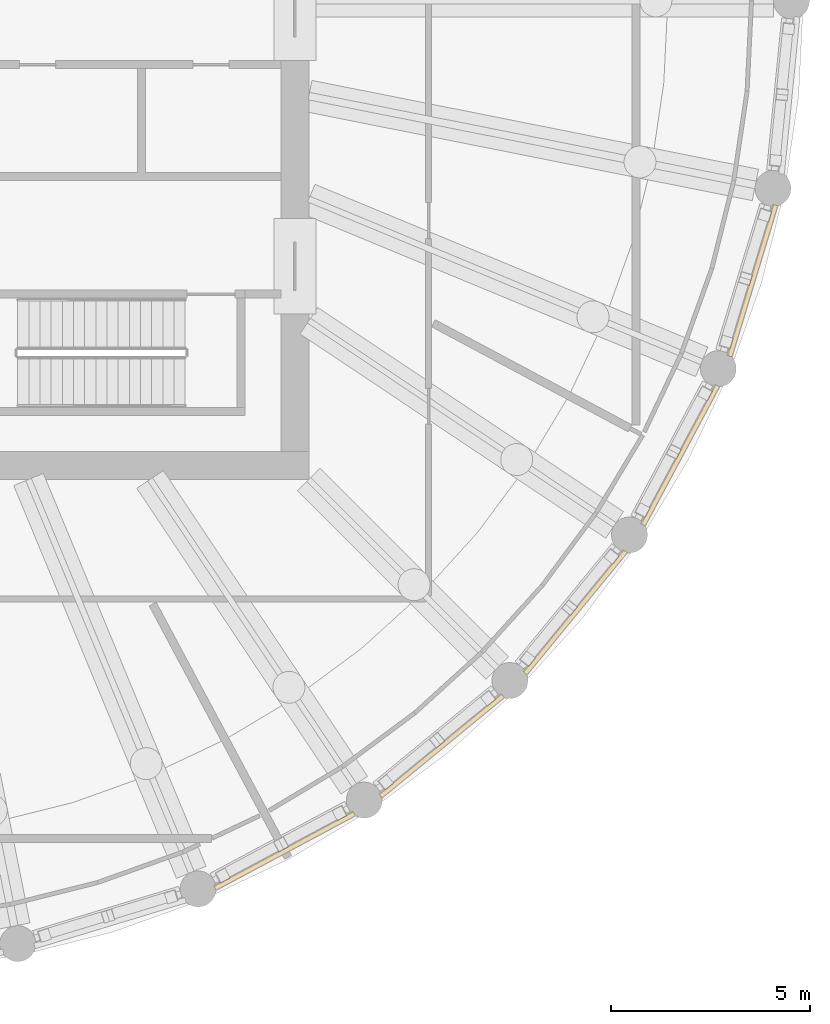
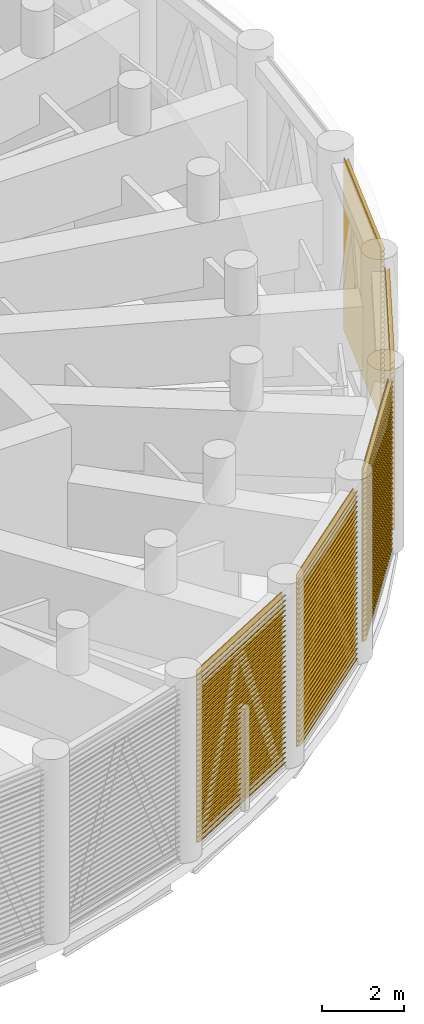
# One storey, part 15 of 19: 5 shading devices, 5 elements without a shape of their own.
"""IFC4 building model written with IfcOpenShell, lengths in metres."""

from ifc_helpers import new_model, si_unit, direction, frame, origin, place, context, subcontext, project, spatial, polyline, outline, extrude, material, material_profile, profile_set, type_object, element, aggregate, save


model = new_model("IFC4")

# Units and contexts
model_context = context("Model", 3, precision=1e-05, world=origin(), true_north=direction((0.0, 1.0)))
body_context = subcontext(model_context, "Body", "Model", "MODEL_VIEW")
ifc_project = project(units=[si_unit("LENGTHUNIT", "METRE"), si_unit("AREAUNIT", "SQUARE_METRE"), si_unit("VOLUMEUNIT", "CUBIC_METRE"), si_unit("PLANEANGLEUNIT", "RADIAN"), si_unit("MASSUNIT", "GRAM", prefix="KILO")], contexts=[model_context])

# Site, building, storey
site_placement = place(None, origin())
site = spatial("IfcSite", under=ifc_project, at=site_placement, CompositionType="ELEMENT")
building_placement = place(site_placement, origin())
building = spatial("IfcBuilding", under=site, at=building_placement, Name="Corvane Civic Tower", CompositionType="ELEMENT")
storey_placement = place(building_placement, frame((0.0, 0.0, 319.0)))
storey = spatial("IfcBuildingStorey", under=building, at=storey_placement, Name="L76", CompositionType="ELEMENT", Elevation=319.0)

# Curtain wall, shading device
ifc_material_1 = material(Name="Anodised aluminium bronze", Category="aluminium")
curtain_wall_type = type_object("IfcCurtainWallType", Name="TOWER CW-LV LOUVRE SCREEN WALL", PredefinedType="NOTDEFINED", material=ifc_material_1)
curtain_wall_1_placement = place(storey_placement, origin())
curtain_wall_1 = element("IfcCurtainWall", 1, at=curtain_wall_1_placement, inside=storey, type_object=curtain_wall_type, Name="Louvre screen wall CW-LV L76 bay 10", PredefinedType="NOTDEFINED")
ifc_material_2 = material(Name="Anodised aluminium bronze", Category="aluminium")
ifc_material_profile = material_profile(ifc_material_2, outline(polyline([(-0.06005859375, -2.56494140625), (-0.0400390625, -2.56494140625), (0.06005859375, -2.492919921875), (0.06005859375, -2.472900390625), (-0.0400390625, -2.544921875), (-0.0400390625, -2.4140625), (0.06005859375, -2.342041015625), (0.06005859375, -2.322021484375), (-0.0400390625, -2.39404296875), (-0.0400390625, -2.26318359375), (0.06005859375, -2.191162109375), (0.06005859375, -2.171142578125), (-0.0400390625, -2.2431640625), (-0.0400390625, -2.1123046875), (0.06005859375, -2.040283203125), (0.06005859375, -2.0205078125), (-0.0400390625, -2.09228515625), (-0.0400390625, -1.96142578125), (0.06005859375, -1.889404296875), (0.06005859375, -1.869384765625), (-0.0400390625, -1.94140625), (-0.0400390625, -1.810546875), (0.06005859375, -1.738525390625), (0.06005859375, -1.718505859375), (-0.0400390625, -1.79052734375), (-0.0400390625, -1.65966796875), (0.06005859375, -1.587646484375), (0.06005859375, -1.567626953125), (-0.0400390625, -1.6396484375), (-0.0400390625, -1.5087890625), (0.06005859375, -1.436767578125), (0.06005859375, -1.416748046875), (-0.0400390625, -1.48876953125), (-0.0400390625, -1.35791015625), (0.06005859375, -1.285888671875), (0.06005859375, -1.265869140625), (-0.0400390625, -1.337890625), (-0.0400390625, -1.20703125), (0.06005859375, -1.135009765625), (0.06005859375, -1.114990234375), (-0.0400390625, -1.18701171875), (-0.0400390625, -1.05615234375), (0.06005859375, -0.984130859375), (0.06005859375, -0.964111328125), (-0.0400390625, -1.0361328125), (-0.0400390625, -0.9052734375), (0.06005859375, -0.833251953125), (0.06005859375, -0.813232421875), (-0.0400390625, -0.88525390625), (-0.0400390625, -0.75439453125), (0.06005859375, -0.682373046875), (0.06005859375, -0.662353515625), (-0.0400390625, -0.734375), (-0.0400390625, -0.603515625), (0.06005859375, -0.531494140625), (0.06005859375, -0.511474609375), (-0.0400390625, -0.58349609375), (-0.0400390625, -0.45263671875), (0.06005859375, -0.380615234375), (0.06005859375, -0.360595703125), (-0.0400390625, -0.4326171875), (-0.0400390625, -0.3017578125), (0.06005859375, -0.229736328125), (0.06005859375, -0.209716796875), (-0.0400390625, -0.28173828125), (-0.0400390625, -0.15087890625), (0.06005859375, -0.078857421875), (0.06005859375, -0.058837890625), (-0.0400390625, -0.130859375), (-0.0400390625, 0.0), (0.06005859375, 0.072021484375), (0.06005859375, 0.092041015625), (-0.0400390625, 0.02001953125), (-0.0400390625, 0.15087890625), (0.06005859375, 0.222900390625), (0.06005859375, 0.242919921875), (-0.0400390625, 0.1708984375), (-0.0400390625, 0.3017578125), (0.06005859375, 0.373779296875), (0.06005859375, 0.393798828125), (-0.0400390625, 0.32177734375), (-0.0400390625, 0.45263671875), (0.06005859375, 0.524658203125), (0.06005859375, 0.544677734375), (-0.0400390625, 0.47265625), (-0.0400390625, 0.603515625), (0.06005859375, 0.675537109375), (0.06005859375, 0.695556640625), (-0.0400390625, 0.62353515625), (-0.0400390625, 0.75439453125), (0.06005859375, 0.826416015625), (0.06005859375, 0.846435546875), (-0.0400390625, 0.7744140625), (-0.0400390625, 0.9052734375), (0.06005859375, 0.977294921875), (0.06005859375, 0.997314453125), (-0.0400390625, 0.92529296875), (-0.0400390625, 1.05615234375), (0.06005859375, 1.128173828125), (0.06005859375, 1.148193359375), (-0.0400390625, 1.076171875), (-0.0400390625, 1.20703125), (0.06005859375, 1.279052734375), (0.06005859375, 1.299072265625), (-0.0400390625, 1.22705078125), (-0.0400390625, 1.35791015625), (0.06005859375, 1.429931640625), (0.06005859375, 1.449951171875), (-0.0400390625, 1.3779296875), (-0.0400390625, 1.5087890625), (0.06005859375, 1.580810546875), (0.06005859375, 1.600830078125), (-0.0400390625, 1.52880859375), (-0.0400390625, 1.65966796875), (0.06005859375, 1.731689453125), (0.06005859375, 1.751708984375), (-0.0400390625, 1.6796875), (-0.0400390625, 1.810546875), (0.06005859375, 1.882568359375), (0.06005859375, 1.902587890625), (-0.0400390625, 1.83056640625), (-0.0400390625, 1.96142578125), (0.06005859375, 2.033447265625), (0.06005859375, 2.053466796875), (-0.0400390625, 1.9814453125), (-0.0400390625, 2.1123046875), (0.06005859375, 2.184326171875), (0.06005859375, 2.204345703125), (-0.0400390625, 2.13232421875), (-0.0400390625, 2.26318359375), (0.06005859375, 2.335205078125), (0.06005859375, 2.355224609375), (-0.0400390625, 2.283203125), (-0.0400390625, 2.4140625), (0.06005859375, 2.486083984375), (0.06005859375, 2.506103515625), (-0.0400390625, 2.43408203125), (-0.0400390625, 2.56494140625), (-0.06005859375, 2.56494140625), (-0.06005859375, -2.56494140625)])), Name="TOWER LOUVRE BANK 5130 BRONZE")
ifc_profile_set = profile_set([ifc_material_profile], Name="Anodised aluminium bronze")
shading_device_type = type_object("IfcShadingDeviceType", Name="TOWER LOUVRE BANK 5130 BRONZE", PredefinedType="USERDEFINED", material=ifc_profile_set)
shading_device_1_placement = place(storey_placement, frame((23.697265625, -5.119873046875, 2.68505859375), z_axis=(-0.290265825309, -0.956946054205, 0.0), x_axis=(0.956946054205, -0.290265825309, 0.0)))
shading_device_1 = element("IfcShadingDevice", 2, at=shading_device_1_placement, type_object=shading_device_type, Name="Louvre bank L76 10.1", ObjectType="LOUVRE", PredefinedType="USERDEFINED", context=body_context, shape_type="SweptSolid", body=[
    extrude(outline(polyline([(-0.06005859375, -2.56494140625), (-0.0400390625, -2.56494140625), (0.06005859375, -2.492919921875), (0.06005859375, -2.472900390625), (-0.0400390625, -2.544921875), (-0.0400390625, -2.4140625), (0.06005859375, -2.342041015625), (0.06005859375, -2.322021484375), (-0.0400390625, -2.39404296875), (-0.0400390625, -2.26318359375), (0.06005859375, -2.191162109375), (0.06005859375, -2.171142578125), (-0.0400390625, -2.2431640625), (-0.0400390625, -2.1123046875), (0.06005859375, -2.040283203125), (0.06005859375, -2.0205078125), (-0.0400390625, -2.09228515625), (-0.0400390625, -1.96142578125), (0.06005859375, -1.889404296875), (0.06005859375, -1.869384765625), (-0.0400390625, -1.94140625), (-0.0400390625, -1.810546875), (0.06005859375, -1.738525390625), (0.06005859375, -1.718505859375), (-0.0400390625, -1.79052734375), (-0.0400390625, -1.65966796875), (0.06005859375, -1.587646484375), (0.06005859375, -1.567626953125), (-0.0400390625, -1.6396484375), (-0.0400390625, -1.5087890625), (0.06005859375, -1.436767578125), (0.06005859375, -1.416748046875), (-0.0400390625, -1.48876953125), (-0.0400390625, -1.35791015625), (0.06005859375, -1.285888671875), (0.06005859375, -1.265869140625), (-0.0400390625, -1.337890625), (-0.0400390625, -1.20703125), (0.06005859375, -1.135009765625), (0.06005859375, -1.114990234375), (-0.0400390625, -1.18701171875), (-0.0400390625, -1.05615234375), (0.06005859375, -0.984130859375), (0.06005859375, -0.964111328125), (-0.0400390625, -1.0361328125), (-0.0400390625, -0.9052734375), (0.06005859375, -0.833251953125), (0.06005859375, -0.813232421875), (-0.0400390625, -0.88525390625), (-0.0400390625, -0.75439453125), (0.06005859375, -0.682373046875), (0.06005859375, -0.662353515625), (-0.0400390625, -0.734375), (-0.0400390625, -0.603515625), (0.06005859375, -0.531494140625), (0.06005859375, -0.511474609375), (-0.0400390625, -0.58349609375), (-0.0400390625, -0.45263671875), (0.06005859375, -0.380615234375), (0.06005859375, -0.360595703125), (-0.0400390625, -0.4326171875), (-0.0400390625, -0.3017578125), (0.06005859375, -0.229736328125), (0.06005859375, -0.209716796875), (-0.0400390625, -0.28173828125), (-0.0400390625, -0.15087890625), (0.06005859375, -0.078857421875), (0.06005859375, -0.058837890625), (-0.0400390625, -0.130859375), (-0.0400390625, 0.0), (0.06005859375, 0.072021484375), (0.06005859375, 0.092041015625), (-0.0400390625, 0.02001953125), (-0.0400390625, 0.15087890625), (0.06005859375, 0.222900390625), (0.06005859375, 0.242919921875), (-0.0400390625, 0.1708984375), (-0.0400390625, 0.3017578125), (0.06005859375, 0.373779296875), (0.06005859375, 0.393798828125), (-0.0400390625, 0.32177734375), (-0.0400390625, 0.45263671875), (0.06005859375, 0.524658203125), (0.06005859375, 0.544677734375), (-0.0400390625, 0.47265625), (-0.0400390625, 0.603515625), (0.06005859375, 0.675537109375), (0.06005859375, 0.695556640625), (-0.0400390625, 0.62353515625), (-0.0400390625, 0.75439453125), (0.06005859375, 0.826416015625), (0.06005859375, 0.846435546875), (-0.0400390625, 0.7744140625), (-0.0400390625, 0.9052734375), (0.06005859375, 0.977294921875), (0.06005859375, 0.997314453125), (-0.0400390625, 0.92529296875), (-0.0400390625, 1.05615234375), (0.06005859375, 1.128173828125), (0.06005859375, 1.148193359375), (-0.0400390625, 1.076171875), (-0.0400390625, 1.20703125), (0.06005859375, 1.279052734375), (0.06005859375, 1.299072265625), (-0.0400390625, 1.22705078125), (-0.0400390625, 1.35791015625), (0.06005859375, 1.429931640625), (0.06005859375, 1.449951171875), (-0.0400390625, 1.3779296875), (-0.0400390625, 1.5087890625), (0.06005859375, 1.580810546875), (0.06005859375, 1.600830078125), (-0.0400390625, 1.52880859375), (-0.0400390625, 1.65966796875), (0.06005859375, 1.731689453125), (0.06005859375, 1.751708984375), (-0.0400390625, 1.6796875), (-0.0400390625, 1.810546875), (0.06005859375, 1.882568359375), (0.06005859375, 1.902587890625), (-0.0400390625, 1.83056640625), (-0.0400390625, 1.96142578125), (0.06005859375, 2.033447265625), (0.06005859375, 2.053466796875), (-0.0400390625, 1.9814453125), (-0.0400390625, 2.1123046875), (0.06005859375, 2.184326171875), (0.06005859375, 2.204345703125), (-0.0400390625, 2.13232421875), (-0.0400390625, 2.26318359375), (0.06005859375, 2.335205078125), (0.06005859375, 2.355224609375), (-0.0400390625, 2.283203125), (-0.0400390625, 2.4140625), (0.06005859375, 2.486083984375), (0.06005859375, 2.506103515625), (-0.0400390625, 2.43408203125), (-0.0400390625, 2.56494140625), (-0.06005859375, 2.56494140625), (-0.06005859375, -2.56494140625)])), origin(), (0.0, 0.0, 1.0), 3.958984375),
])
aggregate(curtain_wall_1, [shading_device_1])

curtain_wall_2_placement = place(storey_placement, origin())
curtain_wall_2 = element("IfcCurtainWall", 3, at=curtain_wall_2_placement, inside=storey, type_object=curtain_wall_type, Name="Louvre screen wall CW-LV L76 bay 11", PredefinedType="NOTDEFINED")
shading_device_2_placement = place(storey_placement, frame((22.2431640625, -9.644775390625, 2.68505859375), z_axis=(-0.471468241052, -0.881883040816, 0.0), x_axis=(0.881883040816, -0.471468241052, 0.0)))
shading_device_2 = element("IfcShadingDevice", 4, at=shading_device_2_placement, type_object=shading_device_type, Name="Louvre bank L76 11.1", ObjectType="LOUVRE", PredefinedType="USERDEFINED", context=body_context, shape_type="SweptSolid", body=[
    extrude(outline(polyline([(-0.06005859375, -2.56494140625), (-0.0400390625, -2.56494140625), (0.06005859375, -2.492919921875), (0.06005859375, -2.472900390625), (-0.0400390625, -2.544921875), (-0.0400390625, -2.4140625), (0.06005859375, -2.342041015625), (0.06005859375, -2.322021484375), (-0.0400390625, -2.39404296875), (-0.0400390625, -2.26318359375), (0.06005859375, -2.191162109375), (0.06005859375, -2.171142578125), (-0.0400390625, -2.2431640625), (-0.0400390625, -2.1123046875), (0.06005859375, -2.040283203125), (0.06005859375, -2.0205078125), (-0.0400390625, -2.09228515625), (-0.0400390625, -1.96142578125), (0.06005859375, -1.889404296875), (0.06005859375, -1.869384765625), (-0.0400390625, -1.94140625), (-0.0400390625, -1.810546875), (0.06005859375, -1.738525390625), (0.06005859375, -1.718505859375), (-0.0400390625, -1.79052734375), (-0.0400390625, -1.65966796875), (0.06005859375, -1.587646484375), (0.06005859375, -1.567626953125), (-0.0400390625, -1.6396484375), (-0.0400390625, -1.5087890625), (0.06005859375, -1.436767578125), (0.06005859375, -1.416748046875), (-0.0400390625, -1.48876953125), (-0.0400390625, -1.35791015625), (0.06005859375, -1.285888671875), (0.06005859375, -1.265869140625), (-0.0400390625, -1.337890625), (-0.0400390625, -1.20703125), (0.06005859375, -1.135009765625), (0.06005859375, -1.114990234375), (-0.0400390625, -1.18701171875), (-0.0400390625, -1.05615234375), (0.06005859375, -0.984130859375), (0.06005859375, -0.964111328125), (-0.0400390625, -1.0361328125), (-0.0400390625, -0.9052734375), (0.06005859375, -0.833251953125), (0.06005859375, -0.813232421875), (-0.0400390625, -0.88525390625), (-0.0400390625, -0.75439453125), (0.06005859375, -0.682373046875), (0.06005859375, -0.662353515625), (-0.0400390625, -0.734375), (-0.0400390625, -0.603515625), (0.06005859375, -0.531494140625), (0.06005859375, -0.511474609375), (-0.0400390625, -0.58349609375), (-0.0400390625, -0.45263671875), (0.06005859375, -0.380615234375), (0.06005859375, -0.360595703125), (-0.0400390625, -0.4326171875), (-0.0400390625, -0.3017578125), (0.06005859375, -0.229736328125), (0.06005859375, -0.209716796875), (-0.0400390625, -0.28173828125), (-0.0400390625, -0.15087890625), (0.06005859375, -0.078857421875), (0.06005859375, -0.058837890625), (-0.0400390625, -0.130859375), (-0.0400390625, 0.0), (0.06005859375, 0.072021484375), (0.06005859375, 0.092041015625), (-0.0400390625, 0.02001953125), (-0.0400390625, 0.15087890625), (0.06005859375, 0.222900390625), (0.06005859375, 0.242919921875), (-0.0400390625, 0.1708984375), (-0.0400390625, 0.3017578125), (0.06005859375, 0.373779296875), (0.06005859375, 0.393798828125), (-0.0400390625, 0.32177734375), (-0.0400390625, 0.45263671875), (0.06005859375, 0.524658203125), (0.06005859375, 0.544677734375), (-0.0400390625, 0.47265625), (-0.0400390625, 0.603515625), (0.06005859375, 0.675537109375), (0.06005859375, 0.695556640625), (-0.0400390625, 0.62353515625), (-0.0400390625, 0.75439453125), (0.06005859375, 0.826416015625), (0.06005859375, 0.846435546875), (-0.0400390625, 0.7744140625), (-0.0400390625, 0.9052734375), (0.06005859375, 0.977294921875), (0.06005859375, 0.997314453125), (-0.0400390625, 0.92529296875), (-0.0400390625, 1.05615234375), (0.06005859375, 1.128173828125), (0.06005859375, 1.148193359375), (-0.0400390625, 1.076171875), (-0.0400390625, 1.20703125), (0.06005859375, 1.279052734375), (0.06005859375, 1.299072265625), (-0.0400390625, 1.22705078125), (-0.0400390625, 1.35791015625), (0.06005859375, 1.429931640625), (0.06005859375, 1.449951171875), (-0.0400390625, 1.3779296875), (-0.0400390625, 1.5087890625), (0.06005859375, 1.580810546875), (0.06005859375, 1.600830078125), (-0.0400390625, 1.52880859375), (-0.0400390625, 1.65966796875), (0.06005859375, 1.731689453125), (0.06005859375, 1.751708984375), (-0.0400390625, 1.6796875), (-0.0400390625, 1.810546875), (0.06005859375, 1.882568359375), (0.06005859375, 1.902587890625), (-0.0400390625, 1.83056640625), (-0.0400390625, 1.96142578125), (0.06005859375, 2.033447265625), (0.06005859375, 2.053466796875), (-0.0400390625, 1.9814453125), (-0.0400390625, 2.1123046875), (0.06005859375, 2.184326171875), (0.06005859375, 2.204345703125), (-0.0400390625, 2.13232421875), (-0.0400390625, 2.26318359375), (0.06005859375, 2.335205078125), (0.06005859375, 2.355224609375), (-0.0400390625, 2.283203125), (-0.0400390625, 2.4140625), (0.06005859375, 2.486083984375), (0.06005859375, 2.506103515625), (-0.0400390625, 2.43408203125), (-0.0400390625, 2.56494140625), (-0.06005859375, 2.56494140625), (-0.06005859375, -2.56494140625)])), origin(), (0.0, 0.0, 1.0), 3.958740234375),
])
aggregate(curtain_wall_2, [shading_device_2])

curtain_wall_3_placement = place(storey_placement, origin())
curtain_wall_3 = element("IfcCurtainWall", 5, at=curtain_wall_3_placement, inside=storey, type_object=curtain_wall_type, Name="Louvre screen wall CW-LV L76 bay 12", PredefinedType="NOTDEFINED")
shading_device_3_placement = place(storey_placement, frame((19.93408203125, -13.798828125, 2.68505859375), z_axis=(-0.634415838373, -0.772991943051, 0.0), x_axis=(0.772991943051, -0.634415838373, 0.0)))
shading_device_3 = element("IfcShadingDevice", 6, at=shading_device_3_placement, type_object=shading_device_type, Name="Louvre bank L76 12.1", ObjectType="LOUVRE", PredefinedType="USERDEFINED", context=body_context, shape_type="SweptSolid", body=[
    extrude(outline(polyline([(-0.06005859375, -2.56494140625), (-0.0400390625, -2.56494140625), (0.06005859375, -2.492919921875), (0.06005859375, -2.472900390625), (-0.0400390625, -2.544921875), (-0.0400390625, -2.4140625), (0.06005859375, -2.342041015625), (0.06005859375, -2.322021484375), (-0.0400390625, -2.39404296875), (-0.0400390625, -2.26318359375), (0.06005859375, -2.191162109375), (0.06005859375, -2.171142578125), (-0.0400390625, -2.2431640625), (-0.0400390625, -2.1123046875), (0.06005859375, -2.040283203125), (0.06005859375, -2.0205078125), (-0.0400390625, -2.09228515625), (-0.0400390625, -1.96142578125), (0.06005859375, -1.889404296875), (0.06005859375, -1.869384765625), (-0.0400390625, -1.94140625), (-0.0400390625, -1.810546875), (0.06005859375, -1.738525390625), (0.06005859375, -1.718505859375), (-0.0400390625, -1.79052734375), (-0.0400390625, -1.65966796875), (0.06005859375, -1.587646484375), (0.06005859375, -1.567626953125), (-0.0400390625, -1.6396484375), (-0.0400390625, -1.5087890625), (0.06005859375, -1.436767578125), (0.06005859375, -1.416748046875), (-0.0400390625, -1.48876953125), (-0.0400390625, -1.35791015625), (0.06005859375, -1.285888671875), (0.06005859375, -1.265869140625), (-0.0400390625, -1.337890625), (-0.0400390625, -1.20703125), (0.06005859375, -1.135009765625), (0.06005859375, -1.114990234375), (-0.0400390625, -1.18701171875), (-0.0400390625, -1.05615234375), (0.06005859375, -0.984130859375), (0.06005859375, -0.964111328125), (-0.0400390625, -1.0361328125), (-0.0400390625, -0.9052734375), (0.06005859375, -0.833251953125), (0.06005859375, -0.813232421875), (-0.0400390625, -0.88525390625), (-0.0400390625, -0.75439453125), (0.06005859375, -0.682373046875), (0.06005859375, -0.662353515625), (-0.0400390625, -0.734375), (-0.0400390625, -0.603515625), (0.06005859375, -0.531494140625), (0.06005859375, -0.511474609375), (-0.0400390625, -0.58349609375), (-0.0400390625, -0.45263671875), (0.06005859375, -0.380615234375), (0.06005859375, -0.360595703125), (-0.0400390625, -0.4326171875), (-0.0400390625, -0.3017578125), (0.06005859375, -0.229736328125), (0.06005859375, -0.209716796875), (-0.0400390625, -0.28173828125), (-0.0400390625, -0.15087890625), (0.06005859375, -0.078857421875), (0.06005859375, -0.058837890625), (-0.0400390625, -0.130859375), (-0.0400390625, 0.0), (0.06005859375, 0.072021484375), (0.06005859375, 0.092041015625), (-0.0400390625, 0.02001953125), (-0.0400390625, 0.15087890625), (0.06005859375, 0.222900390625), (0.06005859375, 0.242919921875), (-0.0400390625, 0.1708984375), (-0.0400390625, 0.3017578125), (0.06005859375, 0.373779296875), (0.06005859375, 0.393798828125), (-0.0400390625, 0.32177734375), (-0.0400390625, 0.45263671875), (0.06005859375, 0.524658203125), (0.06005859375, 0.544677734375), (-0.0400390625, 0.47265625), (-0.0400390625, 0.603515625), (0.06005859375, 0.675537109375), (0.06005859375, 0.695556640625), (-0.0400390625, 0.62353515625), (-0.0400390625, 0.75439453125), (0.06005859375, 0.826416015625), (0.06005859375, 0.846435546875), (-0.0400390625, 0.7744140625), (-0.0400390625, 0.9052734375), (0.06005859375, 0.977294921875), (0.06005859375, 0.997314453125), (-0.0400390625, 0.92529296875), (-0.0400390625, 1.05615234375), (0.06005859375, 1.128173828125), (0.06005859375, 1.148193359375), (-0.0400390625, 1.076171875), (-0.0400390625, 1.20703125), (0.06005859375, 1.279052734375), (0.06005859375, 1.299072265625), (-0.0400390625, 1.22705078125), (-0.0400390625, 1.35791015625), (0.06005859375, 1.429931640625), (0.06005859375, 1.449951171875), (-0.0400390625, 1.3779296875), (-0.0400390625, 1.5087890625), (0.06005859375, 1.580810546875), (0.06005859375, 1.600830078125), (-0.0400390625, 1.52880859375), (-0.0400390625, 1.65966796875), (0.06005859375, 1.731689453125), (0.06005859375, 1.751708984375), (-0.0400390625, 1.6796875), (-0.0400390625, 1.810546875), (0.06005859375, 1.882568359375), (0.06005859375, 1.902587890625), (-0.0400390625, 1.83056640625), (-0.0400390625, 1.96142578125), (0.06005859375, 2.033447265625), (0.06005859375, 2.053466796875), (-0.0400390625, 1.9814453125), (-0.0400390625, 2.1123046875), (0.06005859375, 2.184326171875), (0.06005859375, 2.204345703125), (-0.0400390625, 2.13232421875), (-0.0400390625, 2.26318359375), (0.06005859375, 2.335205078125), (0.06005859375, 2.355224609375), (-0.0400390625, 2.283203125), (-0.0400390625, 2.4140625), (0.06005859375, 2.486083984375), (0.06005859375, 2.506103515625), (-0.0400390625, 2.43408203125), (-0.0400390625, 2.56494140625), (-0.06005859375, 2.56494140625), (-0.06005859375, -2.56494140625)])), origin(), (0.0, 0.0, 1.0), 3.958740234375),
])
aggregate(curtain_wall_3, [shading_device_3])

curtain_wall_4_placement = place(storey_placement, origin())
curtain_wall_4 = element("IfcCurtainWall", 7, at=curtain_wall_4_placement, inside=storey, type_object=curtain_wall_type, Name="Louvre screen wall CW-LV L76 bay 13", PredefinedType="NOTDEFINED")
shading_device_4_placement = place(storey_placement, frame((16.85888671875, -17.422607421875, 2.68505859375), z_axis=(-0.772991943051, -0.634415838373, 0.0), x_axis=(0.634415838373, -0.772991943051, 0.0)))
shading_device_4 = element("IfcShadingDevice", 8, at=shading_device_4_placement, type_object=shading_device_type, Name="Louvre bank L76 13.1", ObjectType="LOUVRE", PredefinedType="USERDEFINED", context=body_context, shape_type="SweptSolid", body=[
    extrude(outline(polyline([(-0.06005859375, -2.56494140625), (-0.0400390625, -2.56494140625), (0.06005859375, -2.492919921875), (0.06005859375, -2.472900390625), (-0.0400390625, -2.544921875), (-0.0400390625, -2.4140625), (0.06005859375, -2.342041015625), (0.06005859375, -2.322021484375), (-0.0400390625, -2.39404296875), (-0.0400390625, -2.26318359375), (0.06005859375, -2.191162109375), (0.06005859375, -2.171142578125), (-0.0400390625, -2.2431640625), (-0.0400390625, -2.1123046875), (0.06005859375, -2.040283203125), (0.06005859375, -2.0205078125), (-0.0400390625, -2.09228515625), (-0.0400390625, -1.96142578125), (0.06005859375, -1.889404296875), (0.06005859375, -1.869384765625), (-0.0400390625, -1.94140625), (-0.0400390625, -1.810546875), (0.06005859375, -1.738525390625), (0.06005859375, -1.718505859375), (-0.0400390625, -1.79052734375), (-0.0400390625, -1.65966796875), (0.06005859375, -1.587646484375), (0.06005859375, -1.567626953125), (-0.0400390625, -1.6396484375), (-0.0400390625, -1.5087890625), (0.06005859375, -1.436767578125), (0.06005859375, -1.416748046875), (-0.0400390625, -1.48876953125), (-0.0400390625, -1.35791015625), (0.06005859375, -1.285888671875), (0.06005859375, -1.265869140625), (-0.0400390625, -1.337890625), (-0.0400390625, -1.20703125), (0.06005859375, -1.135009765625), (0.06005859375, -1.114990234375), (-0.0400390625, -1.18701171875), (-0.0400390625, -1.05615234375), (0.06005859375, -0.984130859375), (0.06005859375, -0.964111328125), (-0.0400390625, -1.0361328125), (-0.0400390625, -0.9052734375), (0.06005859375, -0.833251953125), (0.06005859375, -0.813232421875), (-0.0400390625, -0.88525390625), (-0.0400390625, -0.75439453125), (0.06005859375, -0.682373046875), (0.06005859375, -0.662353515625), (-0.0400390625, -0.734375), (-0.0400390625, -0.603515625), (0.06005859375, -0.531494140625), (0.06005859375, -0.511474609375), (-0.0400390625, -0.58349609375), (-0.0400390625, -0.45263671875), (0.06005859375, -0.380615234375), (0.06005859375, -0.360595703125), (-0.0400390625, -0.4326171875), (-0.0400390625, -0.3017578125), (0.06005859375, -0.229736328125), (0.06005859375, -0.209716796875), (-0.0400390625, -0.28173828125), (-0.0400390625, -0.15087890625), (0.06005859375, -0.078857421875), (0.06005859375, -0.058837890625), (-0.0400390625, -0.130859375), (-0.0400390625, 0.0), (0.06005859375, 0.072021484375), (0.06005859375, 0.092041015625), (-0.0400390625, 0.02001953125), (-0.0400390625, 0.15087890625), (0.06005859375, 0.222900390625), (0.06005859375, 0.242919921875), (-0.0400390625, 0.1708984375), (-0.0400390625, 0.3017578125), (0.06005859375, 0.373779296875), (0.06005859375, 0.393798828125), (-0.0400390625, 0.32177734375), (-0.0400390625, 0.45263671875), (0.06005859375, 0.524658203125), (0.06005859375, 0.544677734375), (-0.0400390625, 0.47265625), (-0.0400390625, 0.603515625), (0.06005859375, 0.675537109375), (0.06005859375, 0.695556640625), (-0.0400390625, 0.62353515625), (-0.0400390625, 0.75439453125), (0.06005859375, 0.826416015625), (0.06005859375, 0.846435546875), (-0.0400390625, 0.7744140625), (-0.0400390625, 0.9052734375), (0.06005859375, 0.977294921875), (0.06005859375, 0.997314453125), (-0.0400390625, 0.92529296875), (-0.0400390625, 1.05615234375), (0.06005859375, 1.128173828125), (0.06005859375, 1.148193359375), (-0.0400390625, 1.076171875), (-0.0400390625, 1.20703125), (0.06005859375, 1.279052734375), (0.06005859375, 1.299072265625), (-0.0400390625, 1.22705078125), (-0.0400390625, 1.35791015625), (0.06005859375, 1.429931640625), (0.06005859375, 1.449951171875), (-0.0400390625, 1.3779296875), (-0.0400390625, 1.5087890625), (0.06005859375, 1.580810546875), (0.06005859375, 1.600830078125), (-0.0400390625, 1.52880859375), (-0.0400390625, 1.65966796875), (0.06005859375, 1.731689453125), (0.06005859375, 1.751708984375), (-0.0400390625, 1.6796875), (-0.0400390625, 1.810546875), (0.06005859375, 1.882568359375), (0.06005859375, 1.902587890625), (-0.0400390625, 1.83056640625), (-0.0400390625, 1.96142578125), (0.06005859375, 2.033447265625), (0.06005859375, 2.053466796875), (-0.0400390625, 1.9814453125), (-0.0400390625, 2.1123046875), (0.06005859375, 2.184326171875), (0.06005859375, 2.204345703125), (-0.0400390625, 2.13232421875), (-0.0400390625, 2.26318359375), (0.06005859375, 2.335205078125), (0.06005859375, 2.355224609375), (-0.0400390625, 2.283203125), (-0.0400390625, 2.4140625), (0.06005859375, 2.486083984375), (0.06005859375, 2.506103515625), (-0.0400390625, 2.43408203125), (-0.0400390625, 2.56494140625), (-0.06005859375, 2.56494140625), (-0.06005859375, -2.56494140625)])), origin(), (0.0, 0.0, 1.0), 3.958740234375),
])
aggregate(curtain_wall_4, [shading_device_4])

curtain_wall_5_placement = place(storey_placement, origin())
curtain_wall_5 = element("IfcCurtainWall", 9, at=curtain_wall_5_placement, inside=storey, type_object=curtain_wall_type, Name="Louvre screen wall CW-LV L76 bay 14", PredefinedType="NOTDEFINED")
shading_device_5_placement = place(storey_placement, frame((13.135986328125, -20.376708984375, 2.68505859375), z_axis=(-0.881883040816, -0.471468241052, 0.0), x_axis=(0.471468241052, -0.881883040816, 0.0)))
shading_device_5 = element("IfcShadingDevice", 10, at=shading_device_5_placement, type_object=shading_device_type, Name="Louvre bank L76 14.1", ObjectType="LOUVRE", PredefinedType="USERDEFINED", context=body_context, shape_type="SweptSolid", body=[
    extrude(outline(polyline([(-0.06005859375, -2.56494140625), (-0.0400390625, -2.56494140625), (0.06005859375, -2.492919921875), (0.06005859375, -2.472900390625), (-0.0400390625, -2.544921875), (-0.0400390625, -2.4140625), (0.06005859375, -2.342041015625), (0.06005859375, -2.322021484375), (-0.0400390625, -2.39404296875), (-0.0400390625, -2.26318359375), (0.06005859375, -2.191162109375), (0.06005859375, -2.171142578125), (-0.0400390625, -2.2431640625), (-0.0400390625, -2.1123046875), (0.06005859375, -2.040283203125), (0.06005859375, -2.0205078125), (-0.0400390625, -2.09228515625), (-0.0400390625, -1.96142578125), (0.06005859375, -1.889404296875), (0.06005859375, -1.869384765625), (-0.0400390625, -1.94140625), (-0.0400390625, -1.810546875), (0.06005859375, -1.738525390625), (0.06005859375, -1.718505859375), (-0.0400390625, -1.79052734375), (-0.0400390625, -1.65966796875), (0.06005859375, -1.587646484375), (0.06005859375, -1.567626953125), (-0.0400390625, -1.6396484375), (-0.0400390625, -1.5087890625), (0.06005859375, -1.436767578125), (0.06005859375, -1.416748046875), (-0.0400390625, -1.48876953125), (-0.0400390625, -1.35791015625), (0.06005859375, -1.285888671875), (0.06005859375, -1.265869140625), (-0.0400390625, -1.337890625), (-0.0400390625, -1.20703125), (0.06005859375, -1.135009765625), (0.06005859375, -1.114990234375), (-0.0400390625, -1.18701171875), (-0.0400390625, -1.05615234375), (0.06005859375, -0.984130859375), (0.06005859375, -0.964111328125), (-0.0400390625, -1.0361328125), (-0.0400390625, -0.9052734375), (0.06005859375, -0.833251953125), (0.06005859375, -0.813232421875), (-0.0400390625, -0.88525390625), (-0.0400390625, -0.75439453125), (0.06005859375, -0.682373046875), (0.06005859375, -0.662353515625), (-0.0400390625, -0.734375), (-0.0400390625, -0.603515625), (0.06005859375, -0.531494140625), (0.06005859375, -0.511474609375), (-0.0400390625, -0.58349609375), (-0.0400390625, -0.45263671875), (0.06005859375, -0.380615234375), (0.06005859375, -0.360595703125), (-0.0400390625, -0.4326171875), (-0.0400390625, -0.3017578125), (0.06005859375, -0.229736328125), (0.06005859375, -0.209716796875), (-0.0400390625, -0.28173828125), (-0.0400390625, -0.15087890625), (0.06005859375, -0.078857421875), (0.06005859375, -0.058837890625), (-0.0400390625, -0.130859375), (-0.0400390625, 0.0), (0.06005859375, 0.072021484375), (0.06005859375, 0.092041015625), (-0.0400390625, 0.02001953125), (-0.0400390625, 0.15087890625), (0.06005859375, 0.222900390625), (0.06005859375, 0.242919921875), (-0.0400390625, 0.1708984375), (-0.0400390625, 0.3017578125), (0.06005859375, 0.373779296875), (0.06005859375, 0.393798828125), (-0.0400390625, 0.32177734375), (-0.0400390625, 0.45263671875), (0.06005859375, 0.524658203125), (0.06005859375, 0.544677734375), (-0.0400390625, 0.47265625), (-0.0400390625, 0.603515625), (0.06005859375, 0.675537109375), (0.06005859375, 0.695556640625), (-0.0400390625, 0.62353515625), (-0.0400390625, 0.75439453125), (0.06005859375, 0.826416015625), (0.06005859375, 0.846435546875), (-0.0400390625, 0.7744140625), (-0.0400390625, 0.9052734375), (0.06005859375, 0.977294921875), (0.06005859375, 0.997314453125), (-0.0400390625, 0.92529296875), (-0.0400390625, 1.05615234375), (0.06005859375, 1.128173828125), (0.06005859375, 1.148193359375), (-0.0400390625, 1.076171875), (-0.0400390625, 1.20703125), (0.06005859375, 1.279052734375), (0.06005859375, 1.299072265625), (-0.0400390625, 1.22705078125), (-0.0400390625, 1.35791015625), (0.06005859375, 1.429931640625), (0.06005859375, 1.449951171875), (-0.0400390625, 1.3779296875), (-0.0400390625, 1.5087890625), (0.06005859375, 1.580810546875), (0.06005859375, 1.600830078125), (-0.0400390625, 1.52880859375), (-0.0400390625, 1.65966796875), (0.06005859375, 1.731689453125), (0.06005859375, 1.751708984375), (-0.0400390625, 1.6796875), (-0.0400390625, 1.810546875), (0.06005859375, 1.882568359375), (0.06005859375, 1.902587890625), (-0.0400390625, 1.83056640625), (-0.0400390625, 1.96142578125), (0.06005859375, 2.033447265625), (0.06005859375, 2.053466796875), (-0.0400390625, 1.9814453125), (-0.0400390625, 2.1123046875), (0.06005859375, 2.184326171875), (0.06005859375, 2.204345703125), (-0.0400390625, 2.13232421875), (-0.0400390625, 2.26318359375), (0.06005859375, 2.335205078125), (0.06005859375, 2.355224609375), (-0.0400390625, 2.283203125), (-0.0400390625, 2.4140625), (0.06005859375, 2.486083984375), (0.06005859375, 2.506103515625), (-0.0400390625, 2.43408203125), (-0.0400390625, 2.56494140625), (-0.06005859375, 2.56494140625), (-0.06005859375, -2.56494140625)])), origin(), (0.0, 0.0, 1.0), 3.958740234375),
])
aggregate(curtain_wall_5, [shading_device_5])

save(model, "model.ifc")
